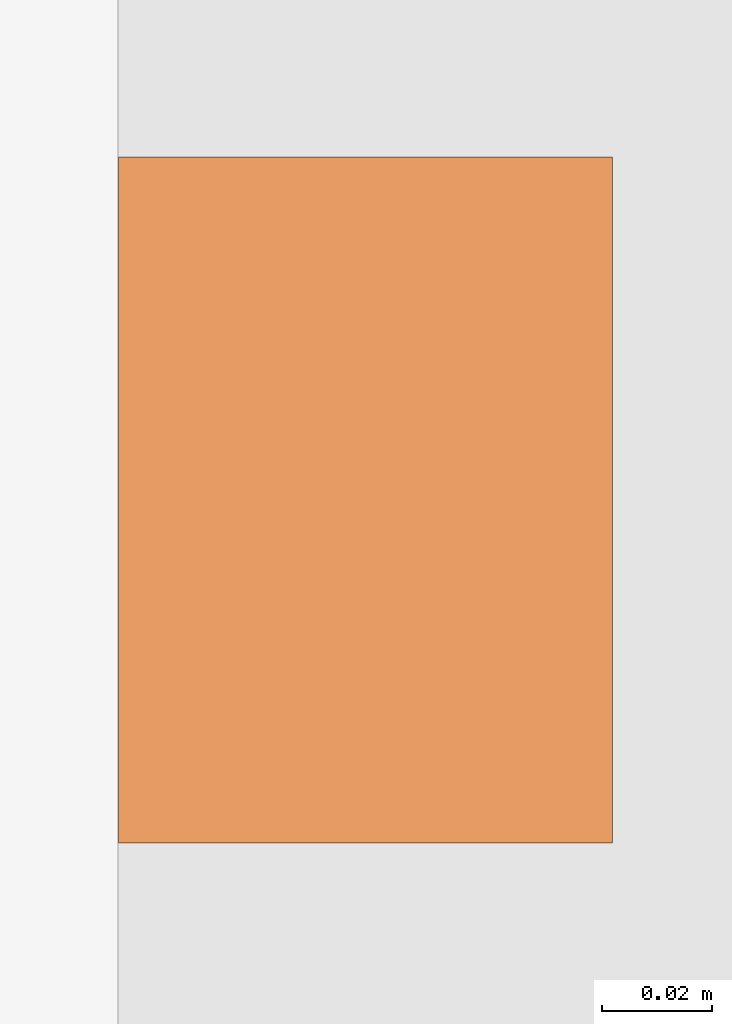
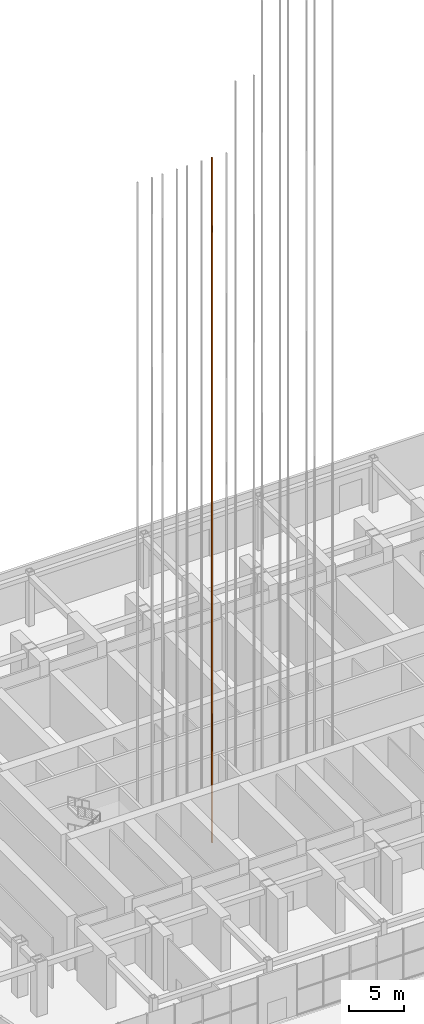
# One storey, part 48 of 57: 1 proxy.
"""IFC4 building model written with IfcOpenShell, lengths in metres."""

from ifc_helpers import new_model, si_unit, direction, frame, origin, origin_2d, place, context, subcontext, project, spatial, rectangle, extrude, material, element, save


model = new_model("IFC4")

# Units and contexts
model_context = context("Model", 3, precision=1e-05, world=origin(), true_north=direction((0.0, 1.0)))
body_context = subcontext(model_context, "Body", "Model", "MODEL_VIEW")
ifc_project = project(units=[si_unit("LENGTHUNIT", "METRE"), si_unit("AREAUNIT", "SQUARE_METRE"), si_unit("VOLUMEUNIT", "CUBIC_METRE"), si_unit("PLANEANGLEUNIT", "RADIAN"), si_unit("MASSUNIT", "GRAM", prefix="KILO")], contexts=[model_context])

# Site, building, storey
site_placement = place(None, origin())
site = spatial("IfcSite", under=ifc_project, at=site_placement, CompositionType="ELEMENT")
building_placement = place(site_placement, origin())
building = spatial("IfcBuilding", under=site, at=building_placement, Name="Orbita Commons", CompositionType="ELEMENT")
storey_placement = place(building_placement, origin())
storey = spatial("IfcBuildingStorey", under=building, at=storey_placement, Name="L00", CompositionType="ELEMENT", Elevation=0.0)

# Proxy
ifc_material = material(Name="Machined steel guide rail", Category="steel")
placement = place(storey_placement, frame((35.10009765625, 28.10009765625, 0.0), z_axis=(0.0, 0.0, 1.0), x_axis=(1.0, 0.0, 0.0)))
proxy_placement = place(placement, frame((-0.7548828125, 0.0, -1.800048828125)))
element("IfcBuildingElementProxy", 1, at=proxy_placement, inside=storey, material=ifc_material, Name="P14 guide rail 1", ObjectType="GUIDE RAIL", PredefinedType="USERDEFINED", context=body_context, shape_type="SweptSolid", body=[
    extrude(rectangle(XDim=0.09, YDim=0.125, at=origin_2d()), origin(), (0.0, 0.0, 1.0), 75.85009765625),
])

save(model, "model.ifc")
